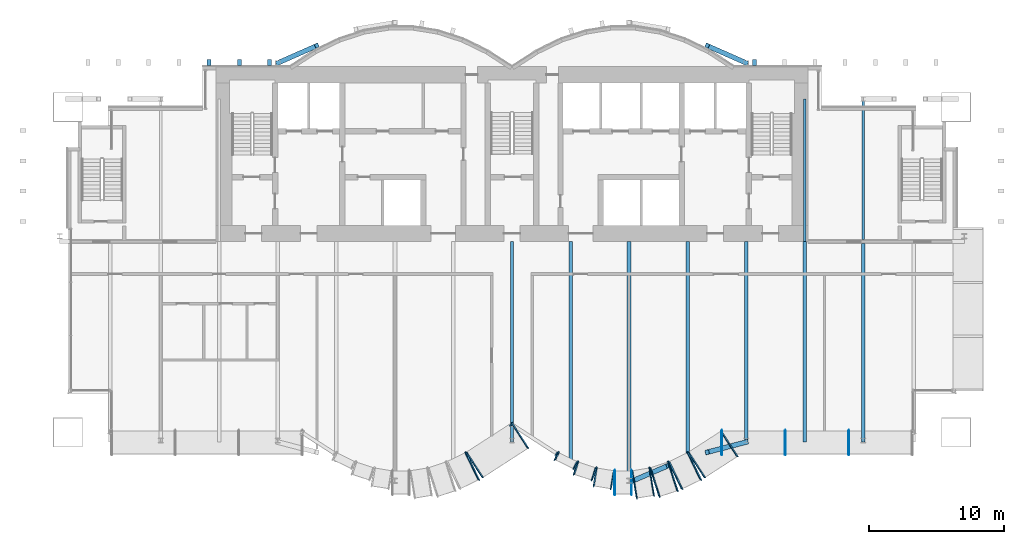
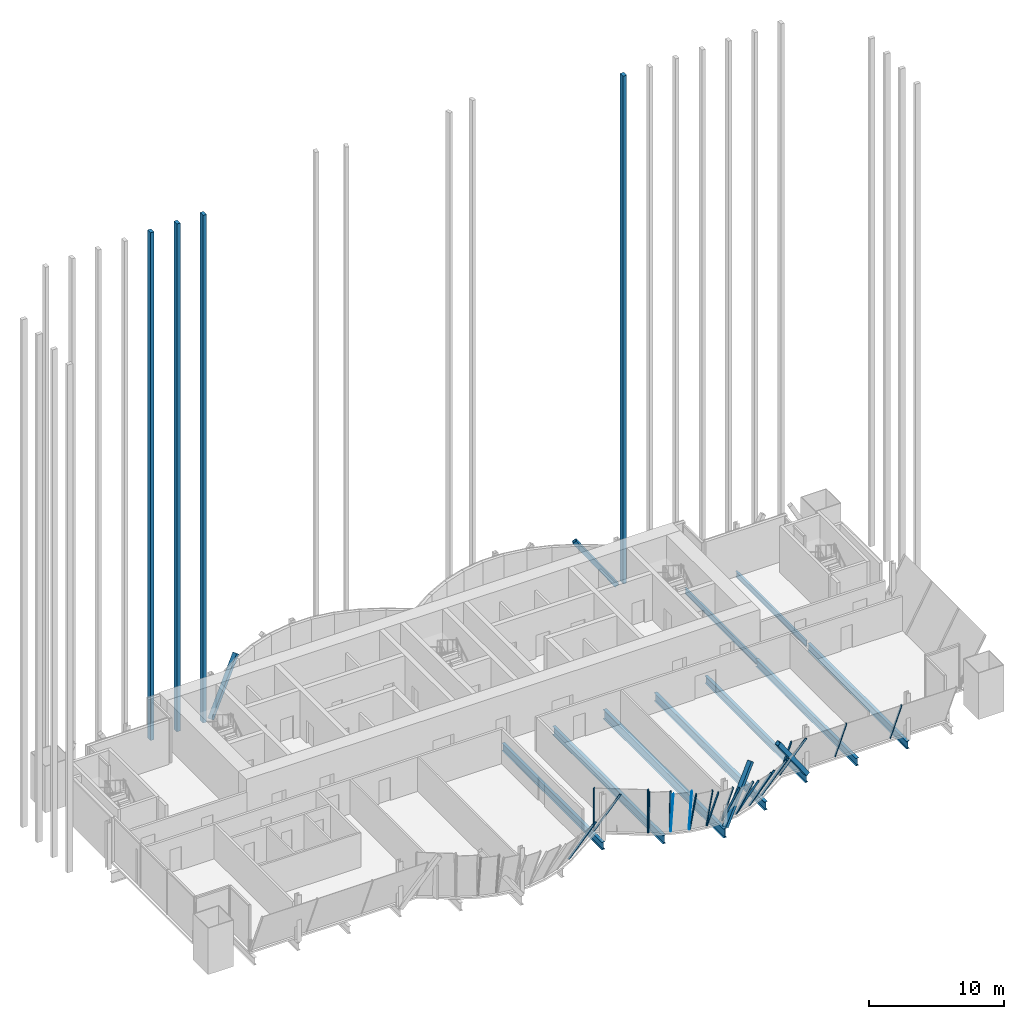
# One storey, part 14 of 28: 32 members, 9 beams, 14 elements without a shape of their own.
"""IFC4 building model written with IfcOpenShell, lengths in metres."""

from ifc_helpers import new_model, si_unit, direction, frame, origin, origin_2d, place, context, subcontext, project, spatial, rectangle, hollow_rectangle, i_section, extrude, material, material_profile, profile_set, type_object, element, aggregate, save


model = new_model("IFC4")

# Units and contexts
model_context = context("Model", 3, precision=1e-05, world=origin(), true_north=direction((0.0, 1.0)))
body_context = subcontext(model_context, "Body", "Model", "MODEL_VIEW")
ifc_project = project(units=[si_unit("LENGTHUNIT", "METRE"), si_unit("AREAUNIT", "SQUARE_METRE"), si_unit("VOLUMEUNIT", "CUBIC_METRE"), si_unit("PLANEANGLEUNIT", "RADIAN"), si_unit("MASSUNIT", "GRAM", prefix="KILO")], contexts=[model_context])

# Site, building, storey
site_placement = place(None, origin())
site = spatial("IfcSite", under=ifc_project, at=site_placement, CompositionType="ELEMENT")
building_placement = place(site_placement, origin())
building = spatial("IfcBuilding", under=site, at=building_placement, Name="Bicima Exchange Tower", CompositionType="ELEMENT")
storey_placement = place(building_placement, frame((0.0, 0.0, 241.39990234375)))
storey = spatial("IfcBuildingStorey", under=building, at=storey_placement, Name="L54", CompositionType="ELEMENT", Elevation=241.39990234375)

# Beams
ifc_material_1 = material(Name="Steel ASTM A992 Gr 50", Category="steel")
ifc_material_profile_1 = material_profile(ifc_material_1, i_section(OverallWidth=0.165771484375, OverallDepth=0.5283203125, WebThickness=0.009765625, FlangeThickness=0.013671875, at=origin_2d()))
ifc_profile_set_1 = profile_set([ifc_material_profile_1], Name="Steel ASTM A992 Gr 50")
beam_type_1 = type_object("IfcBeamType", Name="Floor beam W21x50", PredefinedType="JOIST", material=ifc_profile_set_1)
beam_1_placement = place(storey_placement, frame((21.75, -2.39990234375, -0.4140625), z_axis=(0.0, -1.0, 0.0), x_axis=(1.0, 0.0, 0.0)))
element("IfcBeam", 1, at=beam_1_placement, inside=storey, type_object=beam_type_1, Name="Floor beam", PredefinedType="JOIST", context=body_context, shape_type="SweptSolid", body=[
    extrude(i_section(OverallWidth=0.165771484375, OverallDepth=0.5283203125, WebThickness=0.009765625, FlangeThickness=0.013671875, at=origin_2d()), origin(), (0.0, 0.0, 1.0), 10.60009765625),
])
beam_2_placement = place(storey_placement, frame((26.10009765625, -2.39990234375, -0.4140625), z_axis=(0.0, -1.0, 0.0), x_axis=(1.0, 0.0, 0.0)))
element("IfcBeam", 2, at=beam_2_placement, inside=storey, type_object=beam_type_1, Name="Floor beam", PredefinedType="JOIST", context=body_context, shape_type="SweptSolid", body=[
    extrude(i_section(OverallWidth=0.165771484375, OverallDepth=0.5283203125, WebThickness=0.009765625, FlangeThickness=0.013671875, at=origin_2d()), origin(), (0.0, 0.0, 1.0), 10.44775390625),
])
ifc_material_profile_2 = material_profile(ifc_material_1, i_section(OverallWidth=0.25390625, OverallDepth=0.67822265625, WebThickness=0.01171875, FlangeThickness=0.016357421875, at=origin_2d()))
ifc_profile_set_2 = profile_set([ifc_material_profile_2], Name="Steel ASTM A992 Gr 50")
beam_type_2 = type_object("IfcBeamType", Name="Floor beam W27x84", PredefinedType="JOIST", material=ifc_profile_set_2)
for number, where, z_axis, x_axis, name in (
    (3, (0.0, -13.0, -0.489013671875), (0.0, -1.0, 0.0), (1.0, 0.0, 0.0), "Floor beam"),
    (4, (17.39990234375, -13.0, -0.489013671875), (0.0, -1.0, 0.0), (1.0, 0.0, 0.0), "Floor beam"),
    (5, (21.75, -13.0, -0.489013671875), (0.0, -1.0, 0.0), (1.0, 0.0, 0.0), "Floor beam"),
):
    element("IfcBeam", number, at=place(storey_placement, frame(where, z_axis=z_axis, x_axis=x_axis)), inside=storey, type_object=beam_type_2, Name=name, PredefinedType="JOIST", context=body_context, shape_type="SweptSolid", body=[
        extrude(i_section(OverallWidth=0.25390625, OverallDepth=0.67822265625, WebThickness=0.01171875, FlangeThickness=0.016357421875, at=origin_2d()), origin(), (0.0, 0.0, 1.0), 14.887939453125),
    ])
beam_3_placement = place(storey_placement, frame((26.10009765625, -13.15234375, -0.489013671875), z_axis=(0.0, -1.0, 0.0), x_axis=(1.0, 0.0, 0.0)))
element("IfcBeam", 6, at=beam_3_placement, inside=storey, type_object=beam_type_2, Name="Floor beam", PredefinedType="JOIST", context=body_context, shape_type="SweptSolid", body=[
    extrude(i_section(OverallWidth=0.25390625, OverallDepth=0.67822265625, WebThickness=0.01171875, FlangeThickness=0.016357421875, at=origin_2d()), origin(), (0.0, 0.0, 1.0), 14.735595703125),
])
ifc_material_profile_3 = material_profile(ifc_material_1, i_section(OverallWidth=0.2666015625, OverallDepth=0.75439453125, WebThickness=0.01318359375, FlangeThickness=0.01708984375, at=origin_2d()))
ifc_profile_set_3 = profile_set([ifc_material_profile_3], Name="Steel ASTM A992 Gr 50")
beam_type_3 = type_object("IfcBeamType", Name="Floor beam W30x99", PredefinedType="JOIST", material=ifc_profile_set_3)
for number, where, z_axis, x_axis, name in (
    (7, (4.35009765625, -13.0, -0.527099609375), (0.0, -1.0, 0.0), (1.0, 0.0, 0.0), "Floor beam"),
    (8, (13.050048828125, -13.0, -0.527099609375), (0.0, -1.0, 0.0), (1.0, 0.0, 0.0), "Floor beam"),
):
    element("IfcBeam", number, at=place(storey_placement, frame(where, z_axis=z_axis, x_axis=x_axis)), inside=storey, type_object=beam_type_3, Name=name, PredefinedType="JOIST", context=body_context, shape_type="SweptSolid", body=[
        extrude(i_section(OverallWidth=0.2666015625, OverallDepth=0.75439453125, WebThickness=0.01318359375, FlangeThickness=0.01708984375, at=origin_2d()), origin(), (0.0, 0.0, 1.0), 16.383544921875),
    ])
ifc_material_profile_4 = material_profile(ifc_material_1, i_section(OverallWidth=0.2919921875, OverallDepth=0.835693359375, WebThickness=0.013916015625, FlangeThickness=0.018798828125, at=origin_2d()))
ifc_profile_set_4 = profile_set([ifc_material_profile_4], Name="Steel ASTM A992 Gr 50")
beam_type_4 = type_object("IfcBeamType", Name="Floor beam W33x118", PredefinedType="JOIST", material=ifc_profile_set_4)
beam_4_placement = place(storey_placement, frame((8.699951171875, -13.0, -0.567626953125), z_axis=(0.0, -1.0, 0.0), x_axis=(1.0, 0.0, 0.0)))
element("IfcBeam", 9, at=beam_4_placement, inside=storey, type_object=beam_type_4, Name="Floor beam", PredefinedType="JOIST", context=body_context, shape_type="SweptSolid", body=[
    extrude(i_section(OverallWidth=0.2919921875, OverallDepth=0.835693359375, WebThickness=0.013916015625, FlangeThickness=0.018798828125, at=origin_2d()), origin(), (0.0, 0.0, 1.0), 17.879150390625),
])

# Curtain wall, member
ifc_material_2 = material(Name="Anodised bronze aluminium", Category="aluminium")
curtain_wall_type_1 = type_object("IfcCurtainWallType", Name="Front glass wall", PredefinedType="NOTDEFINED", material=ifc_material_2)
curtain_wall_1_placement = place(storey_placement, origin())
curtain_wall_1 = element("IfcCurtainWall", 10, at=curtain_wall_1_placement, inside=storey, type_object=curtain_wall_type_1, Name="Canted glass wall L54 43.1", PredefinedType="NOTDEFINED")
ifc_material_profile_5 = material_profile(ifc_material_2, rectangle(XDim=0.159912109375, YDim=0.06005859375, at=origin_2d()))
ifc_profile_set_5 = profile_set([ifc_material_profile_5], Name="Anodised bronze aluminium")
member_type_1 = type_object("IfcMemberType", Name="Front glass wall mullion 60 x 160", PredefinedType="MULLION", material=ifc_profile_set_5)
member_1_placement = place(storey_placement, frame((-3.447509765625, -28.666259765625, 0.0), z_axis=(0.211474018683, -0.436234363148, 0.874630390411), x_axis=(-0.735868025504, 0.517885385413, 0.43622583213)))
member_1 = element("IfcMember", 11, at=member_1_placement, type_object=member_type_1, Name="Canted glass mullion 2", PredefinedType="MULLION", context=body_context, shape_type="SweptSolid", body=[
    extrude(rectangle(XDim=0.159912109375, YDim=0.06005859375, at=origin_2d()), origin(), (0.0, 0.0, 1.0), 4.630615234375),
])
aggregate(curtain_wall_1, [member_1])

# Curtain wall, members
curtain_wall_2_placement = place(storey_placement, origin())
curtain_wall_2 = element("IfcCurtainWall", 12, at=curtain_wall_2_placement, inside=storey, type_object=curtain_wall_type_1, Name="Canted glass wall L54 44.1", PredefinedType="NOTDEFINED")
member_2_placement = place(storey_placement, frame((-3.3955078125, -28.636962890625, 0.0), z_axis=(0.26324407015, -0.407124115701, 0.874615637835), x_axis=(-0.854715403581, 0.322012708534, 0.407147877833)))
member_2 = element("IfcMember", 13, at=member_2_placement, type_object=member_type_1, Name="Canted glass mullion 1", PredefinedType="MULLION", context=body_context, shape_type="SweptSolid", body=[
    extrude(rectangle(XDim=0.159912109375, YDim=0.06005859375, at=origin_2d()), origin(), (0.0, 0.0, 1.0), 4.630615234375),
])
member_3_placement = place(storey_placement, frame((-0.025146484375, -26.4580078125, 0.0), z_axis=(0.263189350315, -0.407173748495, 0.874609000878), x_axis=(-0.854663949461, 0.322136541454, 0.407157932688)))
member_3 = element("IfcMember", 14, at=member_3_placement, type_object=member_type_1, Name="Canted glass mullion 2", PredefinedType="MULLION", context=body_context, shape_type="SweptSolid", body=[
    extrude(rectangle(XDim=0.159912109375, YDim=0.06005859375, at=origin_2d()), origin(), (0.0, 0.0, 1.0), 4.630615234375),
])
aggregate(curtain_wall_2, [member_2, member_3])

curtain_wall_3_placement = place(storey_placement, origin())
curtain_wall_3 = element("IfcCurtainWall", 15, at=curtain_wall_3_placement, inside=storey, type_object=curtain_wall_type_1, Name="Canted glass wall L54 45.1", PredefinedType="NOTDEFINED")
member_4_placement = place(storey_placement, frame((0.025146484375, -26.4580078125, 0.0), z_axis=(-0.032793011301, -0.05078403952, 0.998171127483), x_axis=(0.910807188696, 0.409698627936, 0.050767108314)))
member_4 = element("IfcMember", 16, at=member_4_placement, type_object=member_type_1, Name="Canted glass mullion 1", PredefinedType="MULLION", context=body_context, shape_type="SweptSolid", body=[
    extrude(rectangle(XDim=0.159912109375, YDim=0.06005859375, at=origin_2d()), origin(), (0.0, 0.0, 1.0), 4.057373046875),
])
member_5_placement = place(storey_placement, frame((3.3955078125, -28.636962890625, 0.0), z_axis=(-0.032793111448, -0.050724023763, 0.99817417581), x_axis=(0.911029845625, 0.409208520145, 0.050724820565)))
member_5 = element("IfcMember", 17, at=member_5_placement, type_object=member_type_1, Name="Canted glass mullion 2", PredefinedType="MULLION", context=body_context, shape_type="SweptSolid", body=[
    extrude(rectangle(XDim=0.159912109375, YDim=0.06005859375, at=origin_2d()), origin(), (0.0, 0.0, 1.0), 4.057373046875),
])
aggregate(curtain_wall_3, [member_4, member_5])

curtain_wall_4_placement = place(storey_placement, origin())
curtain_wall_4 = element("IfcCurtainWall", 18, at=curtain_wall_4_placement, inside=storey, type_object=curtain_wall_type_1, Name="Canted glass wall L54 46.1", PredefinedType="NOTDEFINED")
member_6_placement = place(storey_placement, frame((3.447509765625, -28.666259765625, 0.0), z_axis=(-0.062464073115, -0.128806049528, 0.989700581577), x_axis=(0.781121892488, 0.610946771676, 0.128812387816)))
member_6 = element("IfcMember", 19, at=member_6_placement, type_object=member_type_1, Name="Canted glass mullion 1", PredefinedType="MULLION", context=body_context, shape_type="SweptSolid", body=[
    extrude(rectangle(XDim=0.159912109375, YDim=0.06005859375, at=origin_2d()), origin(), (0.0, 0.0, 1.0), 4.09228515625),
])
member_7_placement = place(storey_placement, frame((4.8466796875, -29.344482421875, 0.0), z_axis=(-0.06240416585, -0.128865199077, 0.989696660877), x_axis=(0.780780100025, 0.611378377527, 0.128836776182)))
member_7 = element("IfcMember", 20, at=member_7_placement, type_object=member_type_1, Name="Canted glass mullion 2", PredefinedType="MULLION", context=body_context, shape_type="SweptSolid", body=[
    extrude(rectangle(XDim=0.159912109375, YDim=0.06005859375, at=origin_2d()), origin(), (0.0, 0.0, 1.0), 4.09228515625),
])
aggregate(curtain_wall_4, [member_6, member_7])

curtain_wall_5_placement = place(storey_placement, origin())
curtain_wall_5 = element("IfcCurtainWall", 21, at=curtain_wall_5_placement, inside=storey, type_object=curtain_wall_type_1, Name="Canted glass wall L54 47.1", PredefinedType="NOTDEFINED")
member_8_placement = place(storey_placement, frame((4.90234375, -29.366943359375, 0.0), z_axis=(-0.071027436504, -0.21970997287, 0.9729761719), x_axis=(0.577454051821, 0.786303855744, 0.219711320777)))
member_8 = element("IfcMember", 22, at=member_8_placement, type_object=member_type_1, Name="Canted glass mullion 1", PredefinedType="MULLION", context=body_context, shape_type="SweptSolid", body=[
    extrude(rectangle(XDim=0.159912109375, YDim=0.06005859375, at=origin_2d()), origin(), (0.0, 0.0, 1.0), 4.16259765625),
])
member_9_placement = place(storey_placement, frame((6.230224609375, -29.796142578125, 0.0), z_axis=(-0.071027436504, -0.21970997287, 0.9729761719), x_axis=(0.577454051821, 0.786303855744, 0.219711320777)))
member_9 = element("IfcMember", 23, at=member_9_placement, type_object=member_type_1, Name="Canted glass mullion 2", PredefinedType="MULLION", context=body_context, shape_type="SweptSolid", body=[
    extrude(rectangle(XDim=0.159912109375, YDim=0.06005859375, at=origin_2d()), origin(), (0.0, 0.0, 1.0), 4.16259765625),
])
aggregate(curtain_wall_5, [member_8, member_9])

curtain_wall_6_placement = place(storey_placement, origin())
curtain_wall_6 = element("IfcCurtainWall", 24, at=curtain_wall_6_placement, inside=storey, type_object=curtain_wall_type_1, Name="Canted glass wall L54 48.1", PredefinedType="NOTDEFINED")
member_10_placement = place(storey_placement, frame((6.288330078125, -29.810302734375, 0.0), z_axis=(-0.050489981009, -0.312546133855, 0.948559790435), x_axis=(0.306861912427, 0.898973662888, 0.312541389476)))
member_10 = element("IfcMember", 25, at=member_10_placement, type_object=member_type_1, Name="Canted glass mullion 1", PredefinedType="MULLION", context=body_context, shape_type="SweptSolid", body=[
    extrude(rectangle(XDim=0.159912109375, YDim=0.06005859375, at=origin_2d()), origin(), (0.0, 0.0, 1.0), 4.269775390625),
])
member_11_placement = place(storey_placement, frame((7.56298828125, -30.01611328125, 0.0), z_axis=(-0.050489981009, -0.312546133855, 0.948559790435), x_axis=(0.306861912427, 0.898973662888, 0.312541389476)))
member_11 = element("IfcMember", 26, at=member_11_placement, type_object=member_type_1, Name="Canted glass mullion 2", PredefinedType="MULLION", context=body_context, shape_type="SweptSolid", body=[
    extrude(rectangle(XDim=0.159912109375, YDim=0.06005859375, at=origin_2d()), origin(), (0.0, 0.0, 1.0), 4.269775390625),
])
aggregate(curtain_wall_6, [member_10, member_11])

curtain_wall_7_placement = place(storey_placement, origin())
curtain_wall_7 = element("IfcCurtainWall", 27, at=curtain_wall_7_placement, inside=storey, type_object=curtain_wall_type_1, Name="Canted glass wall L54 49.1", PredefinedType="NOTDEFINED")
member_12_placement = place(storey_placement, frame((7.62255859375, -30.02099609375, 0.0), z_axis=(0.0, -0.392580640073, 0.919717587654), x_axis=(0.0, 0.919717587654, 0.392580640073)))
member_12 = element("IfcMember", 28, at=member_12_placement, type_object=member_type_1, Name="Canted glass mullion 1", PredefinedType="MULLION", context=body_context, shape_type="SweptSolid", body=[
    extrude(rectangle(XDim=0.159912109375, YDim=0.06005859375, at=origin_2d()), origin(), (0.0, 0.0, 1.0), 4.403564453125),
])
member_13_placement = place(storey_placement, frame((8.87744140625, -30.02099609375, 0.0), z_axis=(0.0, -0.392580640073, 0.919717587654), x_axis=(0.0, 0.919717587654, 0.392580640073)))
member_13 = element("IfcMember", 29, at=member_13_placement, type_object=member_type_1, Name="Canted glass mullion 2", PredefinedType="MULLION", context=body_context, shape_type="SweptSolid", body=[
    extrude(rectangle(XDim=0.159912109375, YDim=0.06005859375, at=origin_2d()), origin(), (0.0, 0.0, 1.0), 4.403564453125),
])
aggregate(curtain_wall_7, [member_12, member_13])

curtain_wall_8_placement = place(storey_placement, origin())
curtain_wall_8 = element("IfcCurtainWall", 30, at=curtain_wall_8_placement, inside=storey, type_object=curtain_wall_type_1, Name="Canted glass wall L54 50.1", PredefinedType="NOTDEFINED")
member_14_placement = place(storey_placement, frame((8.93701171875, -30.01611328125, 0.0), z_axis=(0.072364828269, -0.44778087871, 0.891210197591), x_axis=(-0.297885428612, 0.843065020112, 0.447778565011)))
member_14 = element("IfcMember", 31, at=member_14_placement, type_object=member_type_1, Name="Canted glass mullion 1", PredefinedType="MULLION", context=body_context, shape_type="SweptSolid", body=[
    extrude(rectangle(XDim=0.159912109375, YDim=0.06005859375, at=origin_2d()), origin(), (0.0, 0.0, 1.0), 4.54443359375),
])
member_15_placement = place(storey_placement, frame((10.211669921875, -29.810302734375, 0.0), z_axis=(0.072366569044, -0.447737926068, 0.891231636134), x_axis=(-0.297904737425, 0.843080283305, 0.44773698007)))
member_15 = element("IfcMember", 32, at=member_15_placement, type_object=member_type_1, Name="Canted glass mullion 2", PredefinedType="MULLION", context=body_context, shape_type="SweptSolid", body=[
    extrude(rectangle(XDim=0.159912109375, YDim=0.06005859375, at=origin_2d()), origin(), (0.0, 0.0, 1.0), 4.54443359375),
])
aggregate(curtain_wall_8, [member_14, member_15])

curtain_wall_9_placement = place(storey_placement, origin())
curtain_wall_9 = element("IfcCurtainWall", 33, at=curtain_wall_9_placement, inside=storey, type_object=curtain_wall_type_1, Name="Canted glass wall L54 51.1", PredefinedType="NOTDEFINED")
member_16_placement = place(storey_placement, frame((10.269775390625, -29.796142578125, 0.0), z_axis=(0.149099429871, -0.461322493413, 0.874614724941), x_axis=(-0.548615163508, 0.697287662783, 0.461314770737)))
member_16 = element("IfcMember", 34, at=member_16_placement, type_object=member_type_1, Name="Canted glass mullion 1", PredefinedType="MULLION", context=body_context, shape_type="SweptSolid", body=[
    extrude(rectangle(XDim=0.159912109375, YDim=0.06005859375, at=origin_2d()), origin(), (0.0, 0.0, 1.0), 4.630615234375),
])
member_17_placement = place(storey_placement, frame((11.59765625, -29.366943359375, 0.0), z_axis=(0.149103056209, -0.461280989664, 0.874635996975), x_axis=(-0.548644710898, 0.697288572408, 0.461278254411)))
member_17 = element("IfcMember", 35, at=member_17_placement, type_object=member_type_1, Name="Canted glass mullion 2", PredefinedType="MULLION", context=body_context, shape_type="SweptSolid", body=[
    extrude(rectangle(XDim=0.159912109375, YDim=0.06005859375, at=origin_2d()), origin(), (0.0, 0.0, 1.0), 4.630615234375),
])
aggregate(curtain_wall_9, [member_16, member_17])

curtain_wall_10_placement = place(storey_placement, origin())
curtain_wall_10 = element("IfcCurtainWall", 36, at=curtain_wall_10_placement, inside=storey, type_object=curtain_wall_type_1, Name="Canted glass wall L54 52.1", PredefinedType="NOTDEFINED")
member_18_placement = place(storey_placement, frame((11.6533203125, -29.344482421875, 0.0), z_axis=(0.211469154695, -0.436277051883, 0.874610273558), x_axis=(-0.73583556263, 0.517904002738, 0.436258488418)))
member_18 = element("IfcMember", 37, at=member_18_placement, type_object=member_type_1, Name="Canted glass mullion 1", PredefinedType="MULLION", context=body_context, shape_type="SweptSolid", body=[
    extrude(rectangle(XDim=0.159912109375, YDim=0.06005859375, at=origin_2d()), origin(), (0.0, 0.0, 1.0), 4.630615234375),
])
member_19_placement = place(storey_placement, frame((13.052490234375, -28.666259765625, 0.0), z_axis=(0.211474018683, -0.436234363148, 0.874630390411), x_axis=(-0.735868025504, 0.517885385413, 0.43622583213)))
member_19 = element("IfcMember", 38, at=member_19_placement, type_object=member_type_1, Name="Canted glass mullion 2", PredefinedType="MULLION", context=body_context, shape_type="SweptSolid", body=[
    extrude(rectangle(XDim=0.159912109375, YDim=0.06005859375, at=origin_2d()), origin(), (0.0, 0.0, 1.0), 4.630615234375),
])
aggregate(curtain_wall_10, [member_18, member_19])

curtain_wall_11_placement = place(storey_placement, origin())
curtain_wall_11 = element("IfcCurtainWall", 39, at=curtain_wall_11_placement, inside=storey, type_object=curtain_wall_type_1, Name="Canted glass wall L54 53.1", PredefinedType="NOTDEFINED")
member_20_placement = place(storey_placement, frame((13.1044921875, -28.636962890625, 0.0), z_axis=(0.26324407015, -0.407124115701, 0.874615637835), x_axis=(-0.854714622724, 0.322014200313, 0.407148337216)))
member_20 = element("IfcMember", 40, at=member_20_placement, type_object=member_type_1, Name="Canted glass mullion 1", PredefinedType="MULLION", context=body_context, shape_type="SweptSolid", body=[
    extrude(rectangle(XDim=0.159912109375, YDim=0.06005859375, at=origin_2d()), origin(), (0.0, 0.0, 1.0), 4.630615234375),
])
member_21_placement = place(storey_placement, frame((15.521728515625, -27.07421875, 0.0), z_axis=(0.263189350315, -0.407173748495, 0.874609000878), x_axis=(-0.854663168377, 0.322138033111, 0.407158392082)))
member_21 = element("IfcMember", 41, at=member_21_placement, type_object=member_type_1, Name="Canted glass mullion 2", PredefinedType="MULLION", context=body_context, shape_type="SweptSolid", body=[
    extrude(rectangle(XDim=0.159912109375, YDim=0.06005859375, at=origin_2d()), origin(), (0.0, 0.0, 1.0), 4.630615234375),
])
aggregate(curtain_wall_11, [member_20, member_21])

curtain_wall_12_placement = place(storey_placement, origin())
curtain_wall_12 = element("IfcCurtainWall", 42, at=curtain_wall_12_placement, inside=storey, type_object=curtain_wall_type_1, Name="Canted glass wall L54 54.1", PredefinedType="NOTDEFINED")
member_22_placement = place(storey_placement, frame((15.576904296875, -27.05810546875, 0.0), z_axis=(0.0, -0.392533741736, 0.919737604754), x_axis=(0.0, 0.919737604754, 0.392533741736)))
member_22 = element("IfcMember", 43, at=member_22_placement, type_object=member_type_1, Name="Canted glass mullion 1", PredefinedType="MULLION", context=body_context, shape_type="SweptSolid", body=[
    extrude(rectangle(XDim=0.159912109375, YDim=0.06005859375, at=origin_2d()), origin(), (0.0, 0.0, 1.0), 4.403564453125),
])
member_23_placement = place(storey_placement, frame((20.2978515625, -27.05810546875, 0.0), z_axis=(0.0, -0.392533741736, 0.919737604754), x_axis=(0.0, 0.919737604754, 0.392533741736)))
member_23 = element("IfcMember", 44, at=member_23_placement, type_object=member_type_1, Name="Canted glass mullion 2", PredefinedType="MULLION", context=body_context, shape_type="SweptSolid", body=[
    extrude(rectangle(XDim=0.159912109375, YDim=0.06005859375, at=origin_2d()), origin(), (0.0, 0.0, 1.0), 4.403564453125),
])
member_24_placement = place(storey_placement, frame((25.01904296875, -27.05810546875, 0.0), z_axis=(0.0, -0.392533741736, 0.919737604754), x_axis=(0.0, 0.919737604754, 0.392533741736)))
member_24 = element("IfcMember", 45, at=member_24_placement, type_object=member_type_1, Name="Canted glass mullion 3", PredefinedType="MULLION", context=body_context, shape_type="SweptSolid", body=[
    extrude(rectangle(XDim=0.159912109375, YDim=0.06005859375, at=origin_2d()), origin(), (0.0, 0.0, 1.0), 4.403564453125),
])
aggregate(curtain_wall_12, [member_22, member_23, member_24])

# Members
ifc_material_3 = material(Name="Steel ASTM A572 Gr 50", Category="steel")
ifc_material_profile_6 = material_profile(ifc_material_3, hollow_rectangle(XDim=0.355712890625, YDim=0.355712890625, WallThickness=0.0146484375, at=origin_2d()))
ifc_profile_set_6 = profile_set([ifc_material_profile_6], Name="Steel ASTM A572 Gr 50")
member_type_2 = type_object("IfcMemberType", Name="Mega brace HSS14x14x5/8", PredefinedType="BRACE", material=ifc_profile_set_6)
for number, where, z_axis, x_axis, name in (
    (46, (-17.39990234375, 0.278076171875, 0.0), (0.551143405478, 0.242905853484, 0.798271691181), (-0.403298774981, 0.915068357063, 0.0), "Mega brace rexo"),
    (47, (17.39990234375, 0.278076171875, 0.0), (-0.551143405478, 0.242905853484, 0.798271691181), (-0.403298774981, -0.915068357063, 0.0), "Mega brace rexo"),
):
    element("IfcMember", number, at=place(storey_placement, frame(where, z_axis=z_axis, x_axis=x_axis)), inside=storey, type_object=member_type_2, Name=name, PredefinedType="BRACE", context=body_context, shape_type="SweptSolid", body=[
        extrude(hollow_rectangle(XDim=0.355712890625, YDim=0.355712890625, WallThickness=0.0146484375, at=origin_2d()), origin(), (0.0, 0.0, 1.0), 5.26171875),
    ])
member_25_placement = place(storey_placement, frame((8.699951171875, -30.879150390625, 0.0), z_axis=(0.552102517145, 0.236290024174, 0.799593543645), x_axis=(-0.393461568723, 0.919341065078, 0.0)))
element("IfcMember", 48, at=member_25_placement, inside=storey, type_object=member_type_2, Name="Mega brace front", PredefinedType="BRACE", context=body_context, shape_type="SweptSolid", body=[
    extrude(hollow_rectangle(XDim=0.355712890625, YDim=0.355712890625, WallThickness=0.0146484375, at=origin_2d()), origin(), (0.0, 0.0, 1.0), 5.2529296875),
])
member_26_placement = place(storey_placement, frame((17.39990234375, -27.887939453125, 0.0), z_axis=(-0.562073160044, -0.145983810299, 0.814102260093), x_axis=(0.251383493766, -0.9678875653, 0.0)))
element("IfcMember", 49, at=member_26_placement, inside=storey, type_object=member_type_2, Name="Mega brace front", PredefinedType="BRACE", context=body_context, shape_type="SweptSolid", body=[
    extrude(hollow_rectangle(XDim=0.355712890625, YDim=0.355712890625, WallThickness=0.0146484375, at=origin_2d()), origin(), (0.0, 0.0, 1.0), 5.1591796875),
])

# Curtain wall, members
curtain_wall_type_2 = type_object("IfcCurtainWallType", Name="Rear blade screen", PredefinedType="NOTDEFINED", material=ifc_material_2)
curtain_wall_13_placement = place(storey_placement, origin())
curtain_wall_13 = element("IfcCurtainWall", 50, at=curtain_wall_13_placement, inside=storey, type_object=curtain_wall_type_2, Name="Rear blade screen L54-L64 W", PredefinedType="NOTDEFINED")
ifc_material_profile_7 = material_profile(ifc_material_2, rectangle(XDim=0.449951171875, YDim=0.300048828125, at=origin_2d()))
ifc_profile_set_7 = profile_set([ifc_material_profile_7], Name="Anodised bronze aluminium")
member_type_3 = type_object("IfcMemberType", Name="Rear blade fin 450 x 300", PredefinedType="USERDEFINED", material=ifc_profile_set_7)
member_27_placement = place(storey_placement, frame((-22.5, 0.324951171875, 0.0), z_axis=(0.0, 0.0, 1.0), x_axis=(0.0, 1.0, 0.0)))
member_27 = element("IfcMember", 51, at=member_27_placement, type_object=member_type_3, Name="Rear blade fin L54-L64 6", ObjectType="FIN", PredefinedType="USERDEFINED", context=body_context, shape_type="SweptSolid", body=[
    extrude(rectangle(XDim=0.449951171875, YDim=0.300048828125, at=origin_2d()), origin(), (0.0, 0.0, 1.0), 46.0),
])
member_28_placement = place(storey_placement, frame((-20.25, 0.324951171875, 0.0), z_axis=(0.0, 0.0, 1.0), x_axis=(0.0, 1.0, 0.0)))
member_28 = element("IfcMember", 52, at=member_28_placement, type_object=member_type_3, Name="Rear blade fin L54-L64 7", ObjectType="FIN", PredefinedType="USERDEFINED", context=body_context, shape_type="SweptSolid", body=[
    extrude(rectangle(XDim=0.449951171875, YDim=0.300048828125, at=origin_2d()), origin(), (0.0, 0.0, 1.0), 46.0),
])
member_29_placement = place(storey_placement, frame((-18.0, 0.324951171875, 0.0), z_axis=(0.0, 0.0, 1.0), x_axis=(0.0, 1.0, 0.0)))
member_29 = element("IfcMember", 53, at=member_29_placement, type_object=member_type_3, Name="Rear blade fin L54-L64 8", ObjectType="FIN", PredefinedType="USERDEFINED", context=body_context, shape_type="SweptSolid", body=[
    extrude(rectangle(XDim=0.449951171875, YDim=0.300048828125, at=origin_2d()), origin(), (0.0, 0.0, 1.0), 46.0),
])
aggregate(curtain_wall_13, [member_27, member_28, member_29])

# Curtain wall, member
curtain_wall_14_placement = place(storey_placement, origin())
curtain_wall_14 = element("IfcCurtainWall", 54, at=curtain_wall_14_placement, inside=storey, type_object=curtain_wall_type_2, Name="Rear blade screen L54-L64 E", PredefinedType="NOTDEFINED")
member_30_placement = place(storey_placement, frame((18.0, 0.324951171875, 0.0), z_axis=(0.0, 0.0, 1.0), x_axis=(0.0, 1.0, 0.0)))
member_30 = element("IfcMember", 55, at=member_30_placement, type_object=member_type_3, Name="Rear blade fin L54-L64 13", ObjectType="FIN", PredefinedType="USERDEFINED", context=body_context, shape_type="SweptSolid", body=[
    extrude(rectangle(XDim=0.449951171875, YDim=0.300048828125, at=origin_2d()), origin(), (0.0, 0.0, 1.0), 46.0),
])
aggregate(curtain_wall_14, [member_30])

save(model, "model.ifc")
